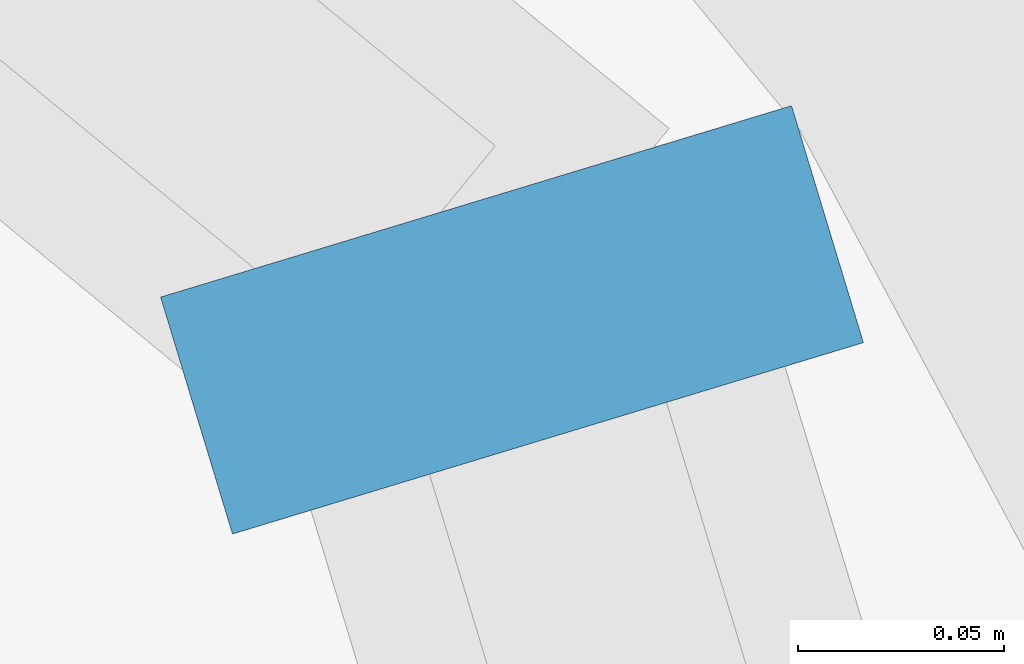
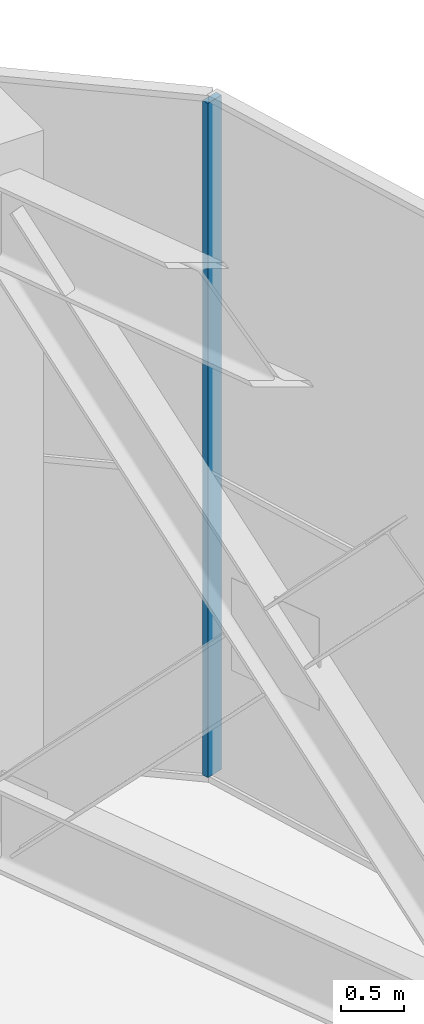
# One storey, part 11 of 35: 1 member, 1 element without a shape of its own.
"""IFC4 building model written with IfcOpenShell, lengths in metres."""

from ifc_helpers import new_model, si_unit, direction, frame, origin, origin_2d, place, context, subcontext, project, spatial, rectangle, extrude, material, material_profile, profile_set, type_object, element, aggregate, save


model = new_model("IFC4")

# Units and contexts
model_context = context("Model", 3, precision=1e-05, world=origin(), true_north=direction((0.0, 1.0)))
body_context = subcontext(model_context, "Body", "Model", "MODEL_VIEW")
ifc_project = project(units=[si_unit("LENGTHUNIT", "METRE"), si_unit("AREAUNIT", "SQUARE_METRE"), si_unit("VOLUMEUNIT", "CUBIC_METRE"), si_unit("PLANEANGLEUNIT", "RADIAN"), si_unit("MASSUNIT", "GRAM", prefix="KILO")], contexts=[model_context])

# Site, building, storey
site_placement = place(None, origin())
site = spatial("IfcSite", under=ifc_project, at=site_placement, CompositionType="ELEMENT")
building_placement = place(site_placement, origin())
building = spatial("IfcBuilding", under=site, at=building_placement, Name="Ogive Portal Towers", CompositionType="ELEMENT")
storey_placement = place(building_placement, frame((0.0, 0.0, 135.199951171875)))
storey = spatial("IfcBuildingStorey", under=building, at=storey_placement, Name="L33", CompositionType="ELEMENT", Elevation=135.199951171875)

# Curtain wall, member
ifc_material_1 = material(Name="Glass, clear low-iron insulated glazing", Category="glass")
curtain_wall_type = type_object("IfcCurtainWallType", Name="CW OBSERVATION WALL", PredefinedType="NOTDEFINED", material=ifc_material_1)
curtain_wall_placement = place(storey_placement, origin())
curtain_wall = element("IfcCurtainWall", 1, at=curtain_wall_placement, inside=storey, type_object=curtain_wall_type, Name="A:L33:f18:cwa", PredefinedType="NOTDEFINED")
ifc_material_2 = material(Name="Aluminium 6063 anodised", Category="aluminium")
ifc_material_profile = material_profile(ifc_material_2, rectangle(XDim=0.159912109375, YDim=0.06005859375, at=origin_2d()), Name="AL 60x160")
ifc_profile_set = profile_set([ifc_material_profile], Name="Aluminium 6063 anodised")
member_type = type_object("IfcMemberType", Name="CW MULLION 60x160", PredefinedType="MULLION", material=ifc_profile_set)
member_placement = place(storey_placement, frame((49.2451171875, 72.50927734375, 0.06005859375), z_axis=(0.0, 0.0, 1.0), x_axis=(-0.956940335732, -0.290284677254, 0.0)))
member = element("IfcMember", 2, at=member_placement, type_object=member_type, Name="mullion", PredefinedType="MULLION", context=body_context, shape_type="SweptSolid", body=[
    extrude(rectangle(XDim=0.159912109375, YDim=0.06005859375, at=origin_2d()), origin(), (0.0, 0.0, 1.0), 6.580078125),
])
aggregate(curtain_wall, [member])

save(model, "model.ifc")
